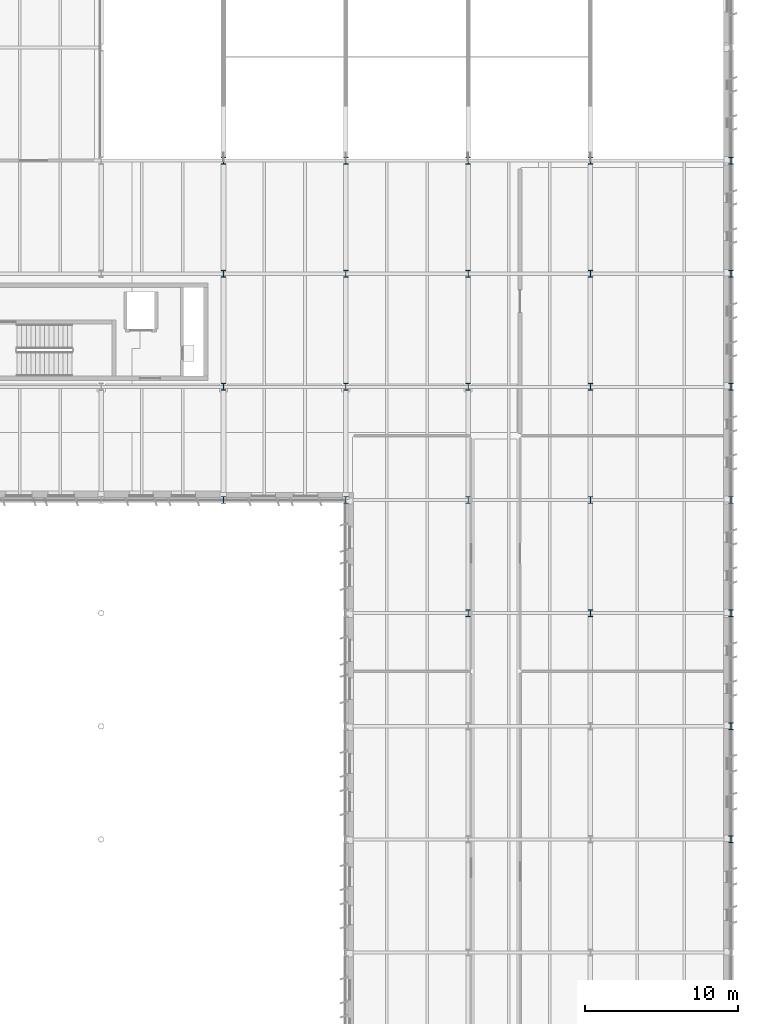
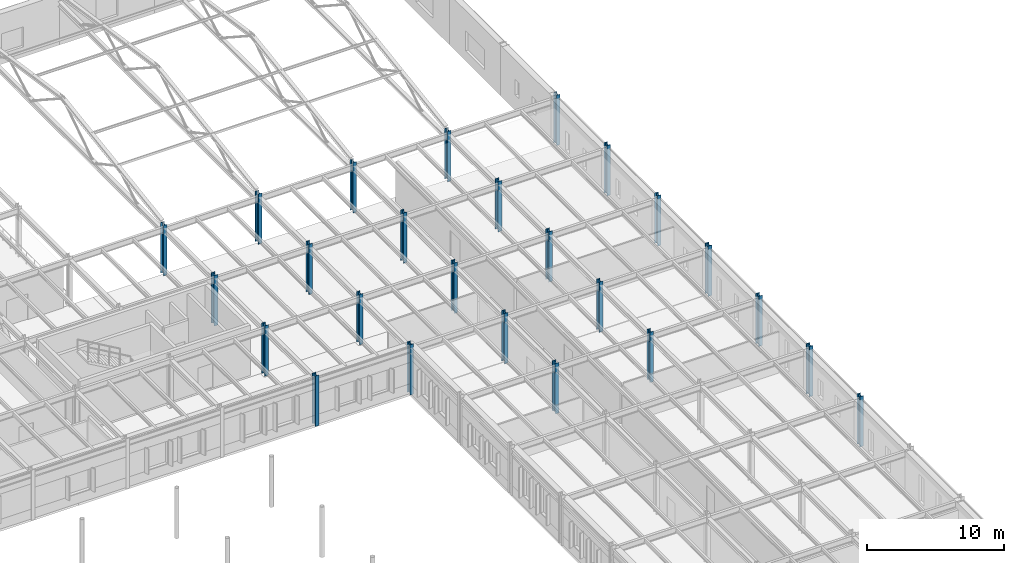
# One storey, part 14 of 75: 25 columns.
"""IFC4 building model written with IfcOpenShell, lengths in metres."""

import ifcopenshell
import ifcopenshell.guid

model = None  # the IFC model being written
_history = None  # IfcOwnerHistory: only IFC2X3 demands one
_inside = {}  # id of a spatial element -> (the spatial element, [elements in it])
_under = {}  # id of a project, library or spatial element -> (it, [spatial elements below it])
_declared = {}  # id of a project -> (the project, [libraries it declares])
_typed = {}  # id of a type object -> (the type object, [elements of that type])
_made_of = {}  # id of a material, layer set ... -> (it, [elements and type objects made of it])


def new_model(schema):
    """Start an empty IFC model of exactly this schema.

    Asked for "IFC4X3", IfcOpenShell would pick the latest addendum, in which some entities
    have other attributes; the version numbers below select the first issue.
    IFC2X3 requires an IfcOwnerHistory on every rooted entity: one is made here for all.
    """
    global model, _history
    if schema == "IFC4X3":
        model = ifcopenshell.file(schema_version=(4, 3, 0, 0))
    else:
        model = ifcopenshell.file(schema=schema)
    _inside.clear()
    _under.clear()
    _declared.clear()
    _typed.clear()
    _made_of.clear()
    _history = None
    if model.schema == "IFC2X3":
        org = make("IfcOrganization", Name="unknown")
        user = make(
            "IfcPersonAndOrganization",
            ThePerson=make("IfcPerson", FamilyName="unknown"),
            TheOrganization=org,
        )
        app = make(
            "IfcApplication",
            ApplicationDeveloper=org,
            Version="unknown",
            ApplicationFullName="unknown",
            ApplicationIdentifier="unknown",
        )
        _history = make(
            "IfcOwnerHistory",
            OwningUser=user,
            OwningApplication=app,
            ChangeAction="ADDED",
            CreationDate=0,
        )
    return model


def make(cls, **values):
    """One entity of the class cls with the attributes given. An attribute that is None is left unset."""
    return model.create_entity(
        cls, **{name: value for name, value in values.items() if value is not None}
    )


def rooted(cls, **values):
    """An entity with a GlobalId (a new one), such as an element, a storey or a relation."""
    return make(cls, GlobalId=ifcopenshell.guid.new(), OwnerHistory=_history, **values)


def si_unit(unit_type, name, prefix=None):
    """IfcSIUnit, for example si_unit("LENGTHUNIT", "METRE", prefix="MILLI")."""
    return make("IfcSIUnit", UnitType=unit_type, Prefix=prefix, Name=name)


def assignment(units):
    """IfcUnitAssignment: the units of a project."""
    return None if units is None else make("IfcUnitAssignment", Units=units)


def point(xyz):
    """IfcCartesianPoint."""
    return None if xyz is None else make("IfcCartesianPoint", Coordinates=xyz)


def direction(xyz):
    """IfcDirection."""
    return None if xyz is None else make("IfcDirection", DirectionRatios=xyz)


def frame(location, z_axis=None, x_axis=None):
    """IfcAxis2Placement3D, a coordinate frame: its origin and axes. An axis left out is left unset."""
    return make(
        "IfcAxis2Placement3D",
        Location=point(location),
        Axis=direction(z_axis),
        RefDirection=direction(x_axis),
    )


def frame_2d(location, x_axis=None):
    """IfcAxis2Placement2D, a coordinate frame in the plane: its origin and x axis."""
    return make(
        "IfcAxis2Placement2D", Location=point(location), RefDirection=direction(x_axis)
    )


def origin():
    """The frame at (0, 0, 0) with its axes left unset."""
    return frame((0.0, 0.0, 0.0))


def origin_2d():
    """The frame at (0, 0) in the plane with its x axis left unset."""
    return frame_2d((0.0, 0.0))


def place(relative_to, where):
    """IfcLocalPlacement: puts the frame where relative to a parent placement (None: the world)."""
    return make(
        "IfcLocalPlacement", PlacementRelTo=relative_to, RelativePlacement=where
    )


def context(
    kind, dimensions, precision=None, world=None, true_north=None, identifier=None
):
    """IfcGeometricRepresentationContext, for example the 3D "Model" context."""
    return make(
        "IfcGeometricRepresentationContext",
        ContextIdentifier=identifier,
        ContextType=kind,
        CoordinateSpaceDimension=dimensions,
        Precision=precision,
        WorldCoordinateSystem=world,
        TrueNorth=true_north,
    )


def subcontext(parent, identifier, kind, view, scale=None):
    """IfcGeometricRepresentationSubContext, for example "Body" below "Model"."""
    return make(
        "IfcGeometricRepresentationSubContext",
        ContextIdentifier=identifier,
        ContextType=kind,
        ParentContext=parent,
        TargetScale=scale,
        TargetView=view,
    )


def project(units=None, contexts=None):
    """IfcProject with its units and contexts."""
    return rooted(
        "IfcProject",
        Name="project",
        RepresentationContexts=contexts,
        UnitsInContext=assignment(units),
    )


def spatial(cls, under=None, at=None, **own):
    """A site, building, storey or space (cls), placed at a placement, below another one or the project."""
    s = rooted(cls, ObjectPlacement=at, **own)
    if under is not None:
        _under.setdefault(under.id(), (under, []))[1].append(s)
    return s


def profile(cls, at=None, kind="AREA", **sizes):
    """A parametric profile (cls). Its sizes go by their IFC names, for example OverallWidth=200.0."""
    return make(cls, ProfileType=kind, Position=at, **sizes)


def i_section(**sizes):
    """IfcIShapeProfileDef."""
    return profile("IfcIShapeProfileDef", **sizes)


def extrude(swept, where, along, depth):
    """IfcExtrudedAreaSolid: the profile swept, set in the frame where, extruded along a direction by depth."""
    return make(
        "IfcExtrudedAreaSolid",
        SweptArea=swept,
        Position=where,
        ExtrudedDirection=direction(along),
        Depth=depth,
    )


def shape(context_of_items, identifier, shape_type, items):
    """IfcShapeRepresentation: the items that make up one representation, for example the "Body"."""
    return make(
        "IfcShapeRepresentation",
        ContextOfItems=context_of_items,
        RepresentationIdentifier=identifier,
        RepresentationType=shape_type,
        Items=items,
    )


def material(Name=None, Category=None):
    """IfcMaterial."""
    return make("IfcMaterial", Name=Name, Category=Category)


def material_profile(
    of_material, cross_section, Name=None, Category=None, Priority=None
):
    """IfcMaterialProfile: a cross section and its material."""
    return make(
        "IfcMaterialProfile",
        Name=Name,
        Material=of_material,
        Profile=cross_section,
        Priority=Priority,
        Category=Category,
    )


def profile_set(profiles, Name=None, composite=None):
    """IfcMaterialProfileSet."""
    return make(
        "IfcMaterialProfileSet",
        Name=Name,
        MaterialProfiles=profiles,
        CompositeProfile=composite,
    )


def made_of(thing, what):
    """Note that an element or type object is made of a material, layer set ...; save() writes the relation."""
    if what is not None:
        _made_of.setdefault(what.id(), (what, []))[1].append(thing)
    return thing


def type_object(cls, material=None, **own):
    """A type object (cls), such as IfcWallType, which elements share."""
    return made_of(rooted(cls, **own), material)


def element(
    cls,
    number,
    at=None,
    inside=None,
    cuts=None,
    type_object=None,
    material=None,
    context=None,
    identifier="Body",
    shape_type=None,
    held_by="IfcProductDefinitionShape",
    body=None,
    shapes=None,
    **own,
):
    """One element of the class cls, such as IfcWall. Its Tag is "e" and its number.

    at: its placement. inside: the storey or other place that contains it. cuts: it is an
    opening in that element (IfcRelVoidsElement). A single representation is given by context,
    identifier, shape_type and body (its items); several are given by shapes. held_by: the class
    of the entity that holds the representations. save() writes the other relations.
    """
    e = rooted(cls, Tag="e%d" % number, ObjectPlacement=at, **own)
    if body is not None:
        shapes = [shape(context, identifier, shape_type, body)]
    if shapes is not None:
        e.Representation = make(held_by, Representations=shapes)
    if inside is not None:
        _inside.setdefault(inside.id(), (inside, []))[1].append(e)
    if cuts is not None:
        rooted(
            "IfcRelVoidsElement", RelatingBuildingElement=cuts, RelatedOpeningElement=e
        )
    if type_object is not None:
        _typed.setdefault(type_object.id(), (type_object, []))[1].append(e)
    return made_of(e, material)


def aggregate(whole, parts):
    """IfcRelAggregates: a whole, such as a stair, and the parts it consists of."""
    return rooted("IfcRelAggregates", RelatingObject=whole, RelatedObjects=parts)


def save(model, path):
    """Write the relations noted so far, then the file.

    IfcRelAggregates (storeys below a building ...), IfcRelContainedInSpatialStructure (elements
    in a storey), IfcRelDefinesByType, IfcRelAssociatesMaterial and IfcRelDeclares: one each for
    every whole, place, type object, material and project.
    """
    for whole, parts in _under.values():
        aggregate(whole, parts)
    for where, things in _inside.values():
        rooted(
            "IfcRelContainedInSpatialStructure",
            RelatedElements=things,
            RelatingStructure=where,
        )
    for kind, things in _typed.values():
        rooted("IfcRelDefinesByType", RelatedObjects=things, RelatingType=kind)
    for what, things in _made_of.values():
        rooted("IfcRelAssociatesMaterial", RelatedObjects=things, RelatingMaterial=what)
    for by, libraries in _declared.values():
        rooted("IfcRelDeclares", RelatingContext=by, RelatedDefinitions=libraries)
    model.write(path)


model = new_model("IFC4")

# Units and contexts
model_context = context("Model", 3, precision=1e-05, world=origin(), true_north=direction((0.0, 1.0)))
body_context = subcontext(model_context, "Body", "Model", "MODEL_VIEW")
ifc_project = project(units=[si_unit("LENGTHUNIT", "METRE"), si_unit("AREAUNIT", "SQUARE_METRE"), si_unit("VOLUMEUNIT", "CUBIC_METRE"), si_unit("PLANEANGLEUNIT", "RADIAN"), si_unit("MASSUNIT", "GRAM", prefix="KILO")], contexts=[model_context])

# Site, building, storey
site_placement = place(None, origin())
site = spatial("IfcSite", under=ifc_project, at=site_placement, CompositionType="ELEMENT")
building_placement = place(site_placement, origin())
building = spatial("IfcBuilding", under=site, at=building_placement, Name="Valkorina Park Police Headquarters", CompositionType="ELEMENT")
storey_placement = place(building_placement, frame((0.0, 0.0, 5.39990234375)))
storey = spatial("IfcBuildingStorey", under=building, at=storey_placement, Name="L02", CompositionType="ELEMENT", Elevation=5.39990234375)

# Columns
ifc_material = material(Name="Steel S355", Category="steel")
ifc_material_profile_1 = material_profile(ifc_material, i_section(OverallWidth=0.300048828125, OverallDepth=0.449951171875, WebThickness=0.013916015625, FlangeThickness=0.02587890625, FilletRadius=0.027099609375, at=origin_2d()), Name="HEB 450")
ifc_profile_set_1 = profile_set([ifc_material_profile_1], Name="Steel S355")
column_type_1 = type_object("IfcColumnType", Name="COL-S355-HEB450-EXT", PredefinedType="COLUMN", material=ifc_profile_set_1)
for number, where, z_axis, x_axis, name in (
    (1, (128.800048828125, 59.199951171875, 0.0), (0.0, 0.0, 1.0), (1.0, 0.0, 0.0), "L02 Column 0671"),
    (2, (128.800048828125, 81.39990234375, 0.0), (0.0, 0.0, 1.0), (1.0, 0.0, 0.0), "L02 Column 0674"),
    (3, (136.800048828125, 59.199951171875, 0.0), (0.0, 0.0, 1.0), (1.0, 0.0, 0.0), "L02 Column 0683"),
    (4, (136.800048828125, 81.39990234375, 0.0), (0.0, 0.0, 1.0), (1.0, 0.0, 0.0), "L02 Column 0686"),
    (5, (144.800048828125, 81.39990234375, 0.0), (0.0, 0.0, 1.0), (1.0, 0.0, 0.0), "L02 Column 0698"),
    (6, (152.800048828125, 81.39990234375, 0.0), (0.0, 0.0, 1.0), (1.0, 0.0, 0.0), "L02 Column 0710"),
    (7, (162.0, 37.0, 0.0), (0.0, 0.0, 1.0), (1.0, 0.0, 0.0), "L02 Column 0716"),
    (8, (162.0, 44.39990234375, 0.0), (0.0, 0.0, 1.0), (1.0, 0.0, 0.0), "L02 Column 0717"),
    (9, (162.0, 51.800048828125, 0.0), (0.0, 0.0, 1.0), (1.0, 0.0, 0.0), "L02 Column 0718"),
    (10, (162.0, 59.199951171875, 0.0), (0.0, 0.0, 1.0), (1.0, 0.0, 0.0), "L02 Column 0719"),
    (11, (162.0, 66.60009765625, 0.0), (0.0, 0.0, 1.0), (1.0, 0.0, 0.0), "L02 Column 0720"),
    (12, (162.0, 74.0, 0.0), (0.0, 0.0, 1.0), (1.0, 0.0, 0.0), "L02 Column 0721"),
    (13, (162.0, 81.39990234375, 0.0), (0.0, 0.0, 1.0), (1.0, 0.0, 0.0), "L02 Column 0722"),
):
    element("IfcColumn", number, at=place(storey_placement, frame(where, z_axis=z_axis, x_axis=x_axis)), inside=storey, type_object=column_type_1, Name=name, PredefinedType="COLUMN", context=body_context, shape_type="SweptSolid", body=[
        extrude(i_section(OverallWidth=0.300048828125, OverallDepth=0.449951171875, WebThickness=0.013916015625, FlangeThickness=0.02587890625, FilletRadius=0.027099609375, at=origin_2d()), origin(), (0.0, 0.0, 1.0), 4.5),
    ])
ifc_material_profile_2 = material_profile(ifc_material, i_section(OverallWidth=0.300048828125, OverallDepth=0.449951171875, WebThickness=0.013916015625, FlangeThickness=0.02587890625, FilletRadius=0.027099609375, at=origin_2d()), Name="HEB 450")
ifc_profile_set_2 = profile_set([ifc_material_profile_2], Name="Steel S355")
column_type_2 = type_object("IfcColumnType", Name="COL-S355-HEB450-INT", PredefinedType="COLUMN", material=ifc_profile_set_2)
for number, where, z_axis, x_axis, name in (
    (14, (128.800048828125, 66.60009765625, 0.0), (0.0, 0.0, 1.0), (1.0, 0.0, 0.0), "L02 Column 0672"),
    (15, (128.800048828125, 74.0, 0.0), (0.0, 0.0, 1.0), (1.0, 0.0, 0.0), "L02 Column 0673"),
    (16, (136.800048828125, 66.60009765625, 0.0), (0.0, 0.0, 1.0), (1.0, 0.0, 0.0), "L02 Column 0684"),
    (17, (136.800048828125, 74.0, 0.0), (0.0, 0.0, 1.0), (1.0, 0.0, 0.0), "L02 Column 0685"),
    (18, (144.800048828125, 51.800048828125, 0.0), (0.0, 0.0, 1.0), (1.0, 0.0, 0.0), "L02 Column 0694"),
    (19, (144.800048828125, 59.199951171875, 0.0), (0.0, 0.0, 1.0), (1.0, 0.0, 0.0), "L02 Column 0695"),
    (20, (144.800048828125, 66.60009765625, 0.0), (0.0, 0.0, 1.0), (1.0, 0.0, 0.0), "L02 Column 0696"),
    (21, (144.800048828125, 74.0, 0.0), (0.0, 0.0, 1.0), (1.0, 0.0, 0.0), "L02 Column 0697"),
    (22, (152.800048828125, 51.800048828125, 0.0), (0.0, 0.0, 1.0), (1.0, 0.0, 0.0), "L02 Column 0706"),
    (23, (152.800048828125, 59.199951171875, 0.0), (0.0, 0.0, 1.0), (1.0, 0.0, 0.0), "L02 Column 0707"),
    (24, (152.800048828125, 66.60009765625, 0.0), (0.0, 0.0, 1.0), (1.0, 0.0, 0.0), "L02 Column 0708"),
    (25, (152.800048828125, 74.0, 0.0), (0.0, 0.0, 1.0), (1.0, 0.0, 0.0), "L02 Column 0709"),
):
    element("IfcColumn", number, at=place(storey_placement, frame(where, z_axis=z_axis, x_axis=x_axis)), inside=storey, type_object=column_type_2, Name=name, PredefinedType="COLUMN", context=body_context, shape_type="SweptSolid", body=[
        extrude(i_section(OverallWidth=0.300048828125, OverallDepth=0.449951171875, WebThickness=0.013916015625, FlangeThickness=0.02587890625, FilletRadius=0.027099609375, at=origin_2d()), origin(), (0.0, 0.0, 1.0), 4.5),
    ])

save(model, "model.ifc")
